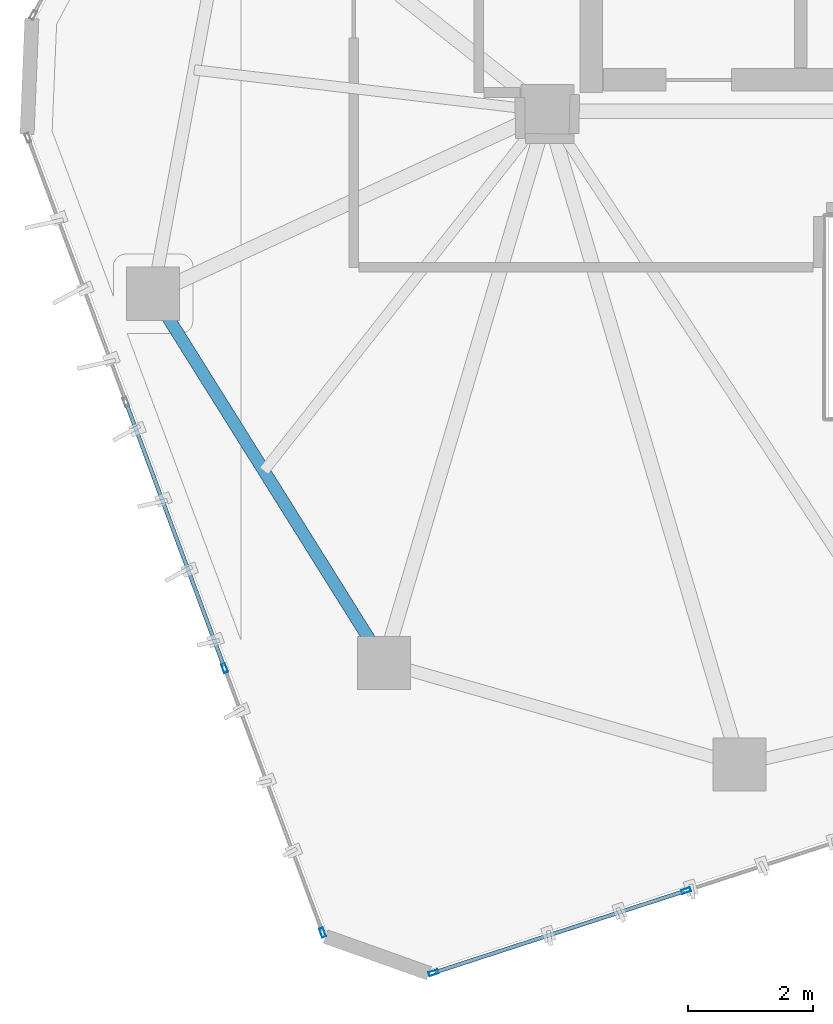
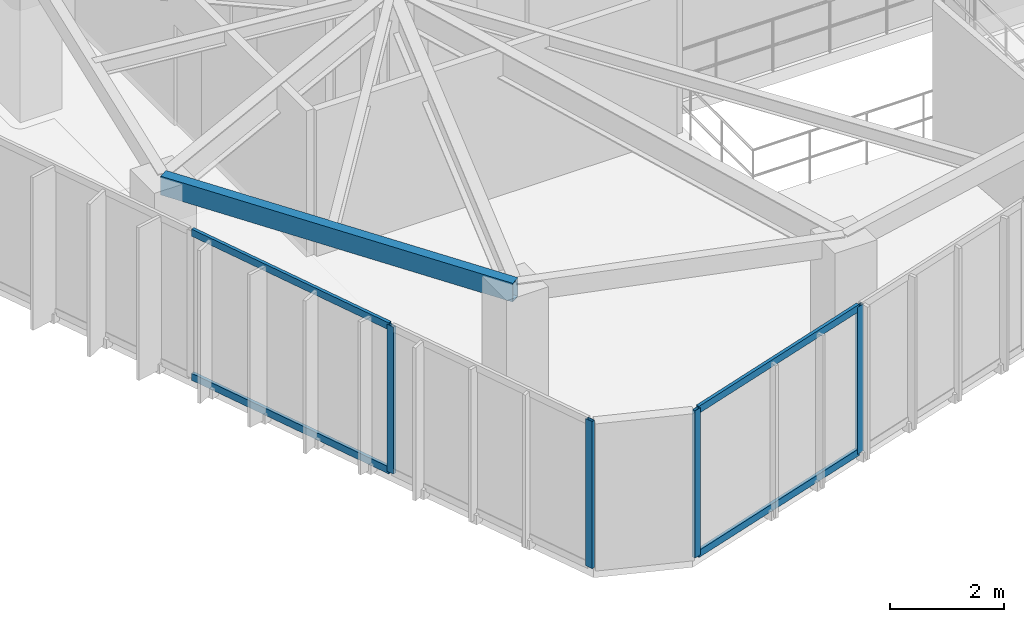
# One storey, part 2 of 19: 8 members, 1 beam, 2 elements without a shape of their own.
"""IFC4 building model written with IfcOpenShell, lengths in metres."""

import ifcopenshell
import ifcopenshell.guid

model = None  # the IFC model being written
_history = None  # IfcOwnerHistory: only IFC2X3 demands one
_inside = {}  # id of a spatial element -> (the spatial element, [elements in it])
_under = {}  # id of a project, library or spatial element -> (it, [spatial elements below it])
_declared = {}  # id of a project -> (the project, [libraries it declares])
_typed = {}  # id of a type object -> (the type object, [elements of that type])
_made_of = {}  # id of a material, layer set ... -> (it, [elements and type objects made of it])


def new_model(schema):
    """Start an empty IFC model of exactly this schema.

    Asked for "IFC4X3", IfcOpenShell would pick the latest addendum, in which some entities
    have other attributes; the version numbers below select the first issue.
    IFC2X3 requires an IfcOwnerHistory on every rooted entity: one is made here for all.
    """
    global model, _history
    if schema == "IFC4X3":
        model = ifcopenshell.file(schema_version=(4, 3, 0, 0))
    else:
        model = ifcopenshell.file(schema=schema)
    _inside.clear()
    _under.clear()
    _declared.clear()
    _typed.clear()
    _made_of.clear()
    _history = None
    if model.schema == "IFC2X3":
        org = make("IfcOrganization", Name="unknown")
        user = make(
            "IfcPersonAndOrganization",
            ThePerson=make("IfcPerson", FamilyName="unknown"),
            TheOrganization=org,
        )
        app = make(
            "IfcApplication",
            ApplicationDeveloper=org,
            Version="unknown",
            ApplicationFullName="unknown",
            ApplicationIdentifier="unknown",
        )
        _history = make(
            "IfcOwnerHistory",
            OwningUser=user,
            OwningApplication=app,
            ChangeAction="ADDED",
            CreationDate=0,
        )
    return model


def make(cls, **values):
    """One entity of the class cls with the attributes given. An attribute that is None is left unset."""
    return model.create_entity(
        cls, **{name: value for name, value in values.items() if value is not None}
    )


def rooted(cls, **values):
    """An entity with a GlobalId (a new one), such as an element, a storey or a relation."""
    return make(cls, GlobalId=ifcopenshell.guid.new(), OwnerHistory=_history, **values)


def si_unit(unit_type, name, prefix=None):
    """IfcSIUnit, for example si_unit("LENGTHUNIT", "METRE", prefix="MILLI")."""
    return make("IfcSIUnit", UnitType=unit_type, Prefix=prefix, Name=name)


def assignment(units):
    """IfcUnitAssignment: the units of a project."""
    return None if units is None else make("IfcUnitAssignment", Units=units)


def point(xyz):
    """IfcCartesianPoint."""
    return None if xyz is None else make("IfcCartesianPoint", Coordinates=xyz)


def direction(xyz):
    """IfcDirection."""
    return None if xyz is None else make("IfcDirection", DirectionRatios=xyz)


def frame(location, z_axis=None, x_axis=None):
    """IfcAxis2Placement3D, a coordinate frame: its origin and axes. An axis left out is left unset."""
    return make(
        "IfcAxis2Placement3D",
        Location=point(location),
        Axis=direction(z_axis),
        RefDirection=direction(x_axis),
    )


def frame_2d(location, x_axis=None):
    """IfcAxis2Placement2D, a coordinate frame in the plane: its origin and x axis."""
    return make(
        "IfcAxis2Placement2D", Location=point(location), RefDirection=direction(x_axis)
    )


def origin():
    """The frame at (0, 0, 0) with its axes left unset."""
    return frame((0.0, 0.0, 0.0))


def origin_2d():
    """The frame at (0, 0) in the plane with its x axis left unset."""
    return frame_2d((0.0, 0.0))


def place(relative_to, where):
    """IfcLocalPlacement: puts the frame where relative to a parent placement (None: the world)."""
    return make(
        "IfcLocalPlacement", PlacementRelTo=relative_to, RelativePlacement=where
    )


def context(
    kind, dimensions, precision=None, world=None, true_north=None, identifier=None
):
    """IfcGeometricRepresentationContext, for example the 3D "Model" context."""
    return make(
        "IfcGeometricRepresentationContext",
        ContextIdentifier=identifier,
        ContextType=kind,
        CoordinateSpaceDimension=dimensions,
        Precision=precision,
        WorldCoordinateSystem=world,
        TrueNorth=true_north,
    )


def subcontext(parent, identifier, kind, view, scale=None):
    """IfcGeometricRepresentationSubContext, for example "Body" below "Model"."""
    return make(
        "IfcGeometricRepresentationSubContext",
        ContextIdentifier=identifier,
        ContextType=kind,
        ParentContext=parent,
        TargetScale=scale,
        TargetView=view,
    )


def project(units=None, contexts=None):
    """IfcProject with its units and contexts."""
    return rooted(
        "IfcProject",
        Name="project",
        RepresentationContexts=contexts,
        UnitsInContext=assignment(units),
    )


def spatial(cls, under=None, at=None, **own):
    """A site, building, storey or space (cls), placed at a placement, below another one or the project."""
    s = rooted(cls, ObjectPlacement=at, **own)
    if under is not None:
        _under.setdefault(under.id(), (under, []))[1].append(s)
    return s


def profile(cls, at=None, kind="AREA", **sizes):
    """A parametric profile (cls). Its sizes go by their IFC names, for example OverallWidth=200.0."""
    return make(cls, ProfileType=kind, Position=at, **sizes)


def hollow_rectangle(**sizes):
    """IfcRectangleHollowProfileDef."""
    return profile("IfcRectangleHollowProfileDef", **sizes)


def extrude(swept, where, along, depth):
    """IfcExtrudedAreaSolid: the profile swept, set in the frame where, extruded along a direction by depth."""
    return make(
        "IfcExtrudedAreaSolid",
        SweptArea=swept,
        Position=where,
        ExtrudedDirection=direction(along),
        Depth=depth,
    )


def shape(context_of_items, identifier, shape_type, items):
    """IfcShapeRepresentation: the items that make up one representation, for example the "Body"."""
    return make(
        "IfcShapeRepresentation",
        ContextOfItems=context_of_items,
        RepresentationIdentifier=identifier,
        RepresentationType=shape_type,
        Items=items,
    )


def source(mapping_origin, context_of_items, identifier, shape_type, items):
    """IfcRepresentationMap: a shape defined once, which mapped items show again and again."""
    return make(
        "IfcRepresentationMap",
        MappingOrigin=mapping_origin,
        MappedRepresentation=shape(context_of_items, identifier, shape_type, items),
    )


def transform(
    local_origin,
    x_axis=None,
    y_axis=None,
    z_axis=None,
    scale=None,
    scale2=None,
    scale3=None,
    uniform=True,
):
    """IfcCartesianTransformationOperator3D, or its non-uniform kind. x_axis, y_axis, z_axis: its Axis1, 2, 3."""
    if uniform:
        return make(
            "IfcCartesianTransformationOperator3D",
            Axis1=direction(x_axis),
            Axis2=direction(y_axis),
            LocalOrigin=point(local_origin),
            Scale=scale,
            Axis3=direction(z_axis),
        )
    return make(
        "IfcCartesianTransformationOperator3DnonUniform",
        Axis1=direction(x_axis),
        Axis2=direction(y_axis),
        LocalOrigin=point(local_origin),
        Scale=scale,
        Axis3=direction(z_axis),
        Scale2=scale2,
        Scale3=scale3,
    )


def mapped(mapping_source, mapping_target):
    """IfcMappedItem: shows the shape of a source again, moved by a transform."""
    return make(
        "IfcMappedItem", MappingSource=mapping_source, MappingTarget=mapping_target
    )


def material(Name=None, Category=None):
    """IfcMaterial."""
    return make("IfcMaterial", Name=Name, Category=Category)


def layer(
    of_material, thickness, ventilated=None, Name=None, Category=None, Priority=None
):
    """IfcMaterialLayer: one layer of a wall or slab, of a material (None: an air gap)."""
    return make(
        "IfcMaterialLayer",
        Material=of_material,
        LayerThickness=thickness,
        IsVentilated=ventilated,
        Name=Name,
        Category=Category,
        Priority=Priority,
    )


def layer_set(layers, Name=None):
    """IfcMaterialLayerSet."""
    return make("IfcMaterialLayerSet", MaterialLayers=layers, LayerSetName=Name)


def material_profile(
    of_material, cross_section, Name=None, Category=None, Priority=None
):
    """IfcMaterialProfile: a cross section and its material."""
    return make(
        "IfcMaterialProfile",
        Name=Name,
        Material=of_material,
        Profile=cross_section,
        Priority=Priority,
        Category=Category,
    )


def profile_set(profiles, Name=None, composite=None):
    """IfcMaterialProfileSet."""
    return make(
        "IfcMaterialProfileSet",
        Name=Name,
        MaterialProfiles=profiles,
        CompositeProfile=composite,
    )


def made_of(thing, what):
    """Note that an element or type object is made of a material, layer set ...; save() writes the relation."""
    if what is not None:
        _made_of.setdefault(what.id(), (what, []))[1].append(thing)
    return thing


def type_object(cls, material=None, **own):
    """A type object (cls), such as IfcWallType, which elements share."""
    return made_of(rooted(cls, **own), material)


def type_shapes(of_type, sources):
    """Give a type object the sources (RepresentationMaps) that its elements show as mapped items."""
    of_type.RepresentationMaps = sources


def element(
    cls,
    number,
    at=None,
    inside=None,
    cuts=None,
    type_object=None,
    material=None,
    context=None,
    identifier="Body",
    shape_type=None,
    held_by="IfcProductDefinitionShape",
    body=None,
    shapes=None,
    **own,
):
    """One element of the class cls, such as IfcWall. Its Tag is "e" and its number.

    at: its placement. inside: the storey or other place that contains it. cuts: it is an
    opening in that element (IfcRelVoidsElement). A single representation is given by context,
    identifier, shape_type and body (its items); several are given by shapes. held_by: the class
    of the entity that holds the representations. save() writes the other relations.
    """
    e = rooted(cls, Tag="e%d" % number, ObjectPlacement=at, **own)
    if body is not None:
        shapes = [shape(context, identifier, shape_type, body)]
    if shapes is not None:
        e.Representation = make(held_by, Representations=shapes)
    if inside is not None:
        _inside.setdefault(inside.id(), (inside, []))[1].append(e)
    if cuts is not None:
        rooted(
            "IfcRelVoidsElement", RelatingBuildingElement=cuts, RelatedOpeningElement=e
        )
    if type_object is not None:
        _typed.setdefault(type_object.id(), (type_object, []))[1].append(e)
    return made_of(e, material)


def aggregate(whole, parts):
    """IfcRelAggregates: a whole, such as a stair, and the parts it consists of."""
    return rooted("IfcRelAggregates", RelatingObject=whole, RelatedObjects=parts)


def save(model, path):
    """Write the relations noted so far, then the file.

    IfcRelAggregates (storeys below a building ...), IfcRelContainedInSpatialStructure (elements
    in a storey), IfcRelDefinesByType, IfcRelAssociatesMaterial and IfcRelDeclares: one each for
    every whole, place, type object, material and project.
    """
    for whole, parts in _under.values():
        aggregate(whole, parts)
    for where, things in _inside.values():
        rooted(
            "IfcRelContainedInSpatialStructure",
            RelatedElements=things,
            RelatingStructure=where,
        )
    for kind, things in _typed.values():
        rooted("IfcRelDefinesByType", RelatedObjects=things, RelatingType=kind)
    for what, things in _made_of.values():
        rooted("IfcRelAssociatesMaterial", RelatedObjects=things, RelatingMaterial=what)
    for by, libraries in _declared.values():
        rooted("IfcRelDeclares", RelatingContext=by, RelatedDefinitions=libraries)
    model.write(path)


model = new_model("IFC4")

# Units and contexts
model_context = context("Model", 3, precision=1e-05, world=origin(), true_north=direction((0.0, 1.0)))
body_context = subcontext(model_context, "Body", "Model", "MODEL_VIEW")
ifc_project = project(units=[si_unit("LENGTHUNIT", "METRE"), si_unit("AREAUNIT", "SQUARE_METRE"), si_unit("VOLUMEUNIT", "CUBIC_METRE"), si_unit("PLANEANGLEUNIT", "RADIAN"), si_unit("MASSUNIT", "GRAM", prefix="KILO")], contexts=[model_context])

# Site, building, storey
site_placement = place(None, origin())
site = spatial("IfcSite", under=ifc_project, at=site_placement, CompositionType="ELEMENT")
building_placement = place(site_placement, origin())
building = spatial("IfcBuilding", under=site, at=building_placement, Name="Talar Marvaseh", CompositionType="ELEMENT")
storey_placement = place(building_placement, frame((0.0, 0.0, 288.39990234375)))
storey = spatial("IfcBuildingStorey", under=building, at=storey_placement, Name="L77", CompositionType="ELEMENT", Elevation=288.39990234375)

# Beam
ifc_material_1 = material(Name="Steel S355", Category="steel")
ifc_material_profile_1 = material_profile(ifc_material_1, hollow_rectangle(XDim=0.199951171875, YDim=0.39990234375, WallThickness=0.013916015625, at=origin_2d()), Name="RHS400x200x14")
ifc_profile_set_1 = profile_set([ifc_material_profile_1], Name="Steel S355")
beam_type = type_object("IfcBeamType", Name="Zone 3 Perimeter Spandrel Beam RHS400x200x14", PredefinedType="SPANDREL", material=ifc_profile_set_1)
beam_placement = place(storey_placement, frame((16.0869140625, 16.66796875, 2.940185546875), z_axis=(-0.530505706813, 0.847681364098, 0.0), x_axis=(-0.847681364098, -0.530505706813, 0.0)))
element("IfcBeam", 1, at=beam_placement, inside=storey, type_object=beam_type, Name="L77 Zone 3 Perimeter Spandrel Beam RHS400x200x14", PredefinedType="SPANDREL", context=body_context, shape_type="SweptSolid", body=[
    extrude(hollow_rectangle(XDim=0.199951171875, YDim=0.39990234375, WallThickness=0.013916015625, at=origin_2d()), origin(), (0.0, 0.0, 1.0), 6.970703125),
])

# Curtain wall, members
ifc_material_2 = material(Name="Architectural Aluminium", Category="aluminium")
ifc_layer = layer(ifc_material_2, 0.179931640625)
ifc_layer_set = layer_set([ifc_layer], Name="Architectural Aluminium")
curtain_wall_type = type_object("IfcCurtainWallType", Name="Unitised High-Wind Sky Curtain Wall Z4", PredefinedType="NOTDEFINED", material=ifc_layer_set)
curtain_wall_1_placement = place(storey_placement, origin())
curtain_wall_1 = element("IfcCurtainWall", 2, at=curtain_wall_1_placement, inside=storey, type_object=curtain_wall_type, Name="L77 Unitised High-Wind Sky Curtain Wall Z4", PredefinedType="NOTDEFINED")
ifc_material_profile_2 = material_profile(ifc_material_2, hollow_rectangle(XDim=0.06494140625, YDim=0.14990234375, WallThickness=0.00390625, at=origin_2d()), Name="RHS150x65x4")
ifc_profile_set_2 = profile_set([ifc_material_profile_2], Name="Architectural Aluminium")
member_type_1 = type_object("IfcMemberType", Name="Unitised Curtain Wall Slim Transom RHS150x65x4", PredefinedType="USERDEFINED", material=ifc_profile_set_2)
shared_shape_1 = source(origin(), body_context, "Body", "SweptSolid", [
    extrude(hollow_rectangle(XDim=0.06494140625, YDim=0.14990234375, WallThickness=0.00390625, at=origin_2d()), origin(), (0.0, 0.0, 1.0), 4.47998046875),
])
member_1_placement = place(storey_placement, frame((13.52294921875, 16.61279296875, 0.03271484375), z_axis=(-0.347687060129, 0.937610637855, 0.0), x_axis=(-0.937610637855, -0.347687060129, 0.0)))
member_1 = element("IfcMember", 3, at=member_1_placement, type_object=member_type_1, Name="CW-Z4 transom 2.1", ObjectType="TRANSOM", PredefinedType="USERDEFINED", context=body_context, shape_type="MappedRepresentation", body=[
    mapped(shared_shape_1, transform((0.0, 0.0, 0.0), x_axis=(1.0, 0.0, 0.0), y_axis=(0.0, 1.0, 0.0), z_axis=(0.0, 0.0, 1.0), scale=1.0)),
])
member_2_placement = place(storey_placement, frame((13.52294921875, 16.61279296875, 3.107666015625), z_axis=(-0.347687060129, 0.937610637855, 0.0), x_axis=(-0.937610637855, -0.347687060129, 0.0)))
member_2 = element("IfcMember", 4, at=member_2_placement, type_object=member_type_1, Name="CW-Z4 transom 2.2", ObjectType="TRANSOM", PredefinedType="USERDEFINED", context=body_context, shape_type="MappedRepresentation", body=[
    mapped(shared_shape_1, transform((0.0, 0.0, 0.0), x_axis=(1.0, 0.0, 0.0), y_axis=(0.0, 1.0, 0.0), z_axis=(0.0, 0.0, 1.0), scale=1.0)),
])

curtain_wall_2_placement = place(storey_placement, origin())
curtain_wall_2 = element("IfcCurtainWall", 5, at=curtain_wall_2_placement, inside=storey, type_object=curtain_wall_type, Name="L77 Unitised High-Wind Sky Curtain Wall Z4", PredefinedType="NOTDEFINED")
shared_shape_2 = source(origin(), body_context, "Body", "SweptSolid", [
    extrude(hollow_rectangle(XDim=0.06494140625, YDim=0.14990234375, WallThickness=0.00390625, at=origin_2d()), origin(), (0.0, 0.0, 1.0), 4.18896484375),
])
type_shapes(member_type_1, [shared_shape_1, shared_shape_2])
member_3_placement = place(storey_placement, frame((20.89111328125, 13.010986328125, 0.03271484375), z_axis=(-0.951000226728, -0.30919018219, 0.0), x_axis=(0.30919018219, -0.951000226728, 0.0)))
member_3 = element("IfcMember", 6, at=member_3_placement, type_object=member_type_1, Name="CW-Z4 transom 4.1", ObjectType="TRANSOM", PredefinedType="USERDEFINED", context=body_context, shape_type="MappedRepresentation", body=[
    mapped(shared_shape_2, transform((0.0, 0.0, 0.0), x_axis=(1.0, 0.0, 0.0), y_axis=(0.0, 1.0, 0.0), z_axis=(0.0, 0.0, 1.0), scale=1.0)),
])
member_4_placement = place(storey_placement, frame((20.89111328125, 13.010986328125, 3.107666015625), z_axis=(-0.951000226728, -0.30919018219, 0.0), x_axis=(0.30919018219, -0.951000226728, 0.0)))
member_4 = element("IfcMember", 7, at=member_4_placement, type_object=member_type_1, Name="CW-Z4 transom 4.2", ObjectType="TRANSOM", PredefinedType="USERDEFINED", context=body_context, shape_type="MappedRepresentation", body=[
    mapped(shared_shape_2, transform((0.0, 0.0, 0.0), x_axis=(1.0, 0.0, 0.0), y_axis=(0.0, 1.0, 0.0), z_axis=(0.0, 0.0, 1.0), scale=1.0)),
])

# Member
ifc_material_profile_3 = material_profile(ifc_material_2, hollow_rectangle(XDim=0.06494140625, YDim=0.14990234375, WallThickness=0.00390625, at=origin_2d()), Name="RHS150x65x4")
ifc_profile_set_3 = profile_set([ifc_material_profile_3], Name="Architectural Aluminium")
member_type_2 = type_object("IfcMemberType", Name="Unitised Curtain Wall Slim Mullion RHS150x65x4", PredefinedType="MULLION", material=ifc_profile_set_3)
shared_shape_3 = source(origin(), body_context, "Body", "SweptSolid", [
    extrude(hollow_rectangle(XDim=0.06494140625, YDim=0.14990234375, WallThickness=0.00390625, at=origin_2d()), origin(), (0.0, 0.0, 1.0), 3.14013671875),
])
type_shapes(member_type_2, [shared_shape_3])
member_5_placement = place(storey_placement, frame((15.103271484375, 12.3515625, 0.0), z_axis=(0.0, 0.0, 1.0), x_axis=(-0.937610494719, -0.347687446125, 0.0)))
member_5 = element("IfcMember", 8, at=member_5_placement, type_object=member_type_2, Name="CW-Z4 mullion 1", PredefinedType="MULLION", context=body_context, shape_type="MappedRepresentation", body=[
    mapped(shared_shape_3, transform((0.0, 0.0, 0.0), x_axis=(1.0, 0.0, 0.0), y_axis=(0.0, 1.0, 0.0), z_axis=(0.0, 0.0, 1.0), scale=1.0)),
])

member_6_placement = place(storey_placement, frame((13.5341796875, 16.582275390625, 0.0), z_axis=(0.0, 0.0, 1.0), x_axis=(-0.937610494719, -0.347687446125, 0.0)))
member_6 = element("IfcMember", 9, at=member_6_placement, type_object=member_type_2, Name="CW-Z4 mullion 2", PredefinedType="MULLION", context=body_context, shape_type="MappedRepresentation", body=[
    mapped(shared_shape_3, transform((0.0, 0.0, 0.0), x_axis=(1.0, 0.0, 0.0), y_axis=(0.0, 1.0, 0.0), z_axis=(0.0, 0.0, 1.0), scale=1.0)),
])

aggregate(curtain_wall_1, [member_5, member_6, member_1, member_2])

member_7_placement = place(storey_placement, frame((20.921875, 13.02099609375, 0.0), z_axis=(0.0, 0.0, 1.0), x_axis=(0.309162168659, -0.95100933406, 0.0)))
member_7 = element("IfcMember", 10, at=member_7_placement, type_object=member_type_2, Name="CW-Z4 mullion 4", PredefinedType="MULLION", context=body_context, shape_type="MappedRepresentation", body=[
    mapped(shared_shape_3, transform((0.0, 0.0, 0.0), x_axis=(1.0, 0.0, 0.0), y_axis=(0.0, 1.0, 0.0), z_axis=(0.0, 0.0, 1.0), scale=1.0)),
])

member_8_placement = place(storey_placement, frame((16.876708984375, 11.705810546875, 0.0), z_axis=(0.0, 0.0, 1.0), x_axis=(0.309162168659, -0.95100933406, 0.0)))
member_8 = element("IfcMember", 11, at=member_8_placement, type_object=member_type_2, Name="CW-Z4 mullion 5", PredefinedType="MULLION", context=body_context, shape_type="MappedRepresentation", body=[
    mapped(shared_shape_3, transform((0.0, 0.0, 0.0), x_axis=(1.0, 0.0, 0.0), y_axis=(0.0, 1.0, 0.0), z_axis=(0.0, 0.0, 1.0), scale=1.0)),
])

aggregate(curtain_wall_2, [member_7, member_8, member_3, member_4])

save(model, "model.ifc")
